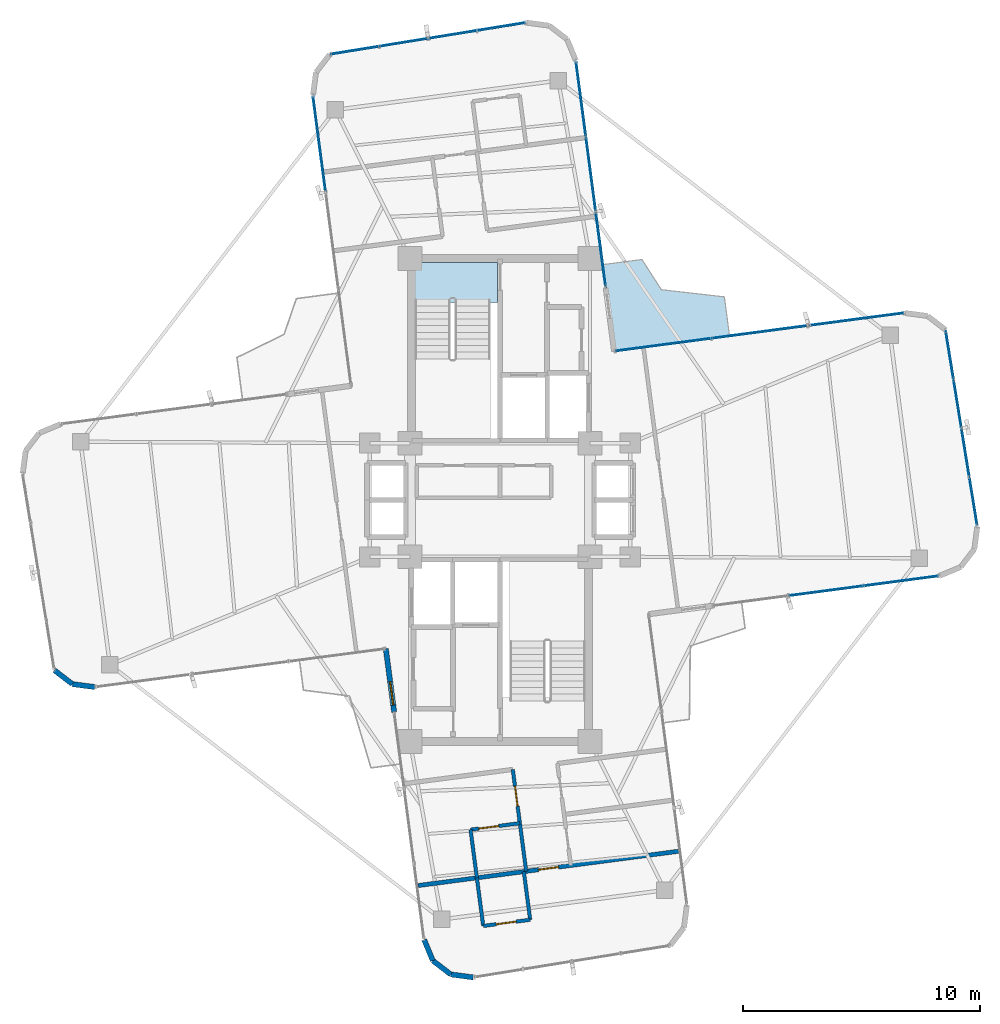
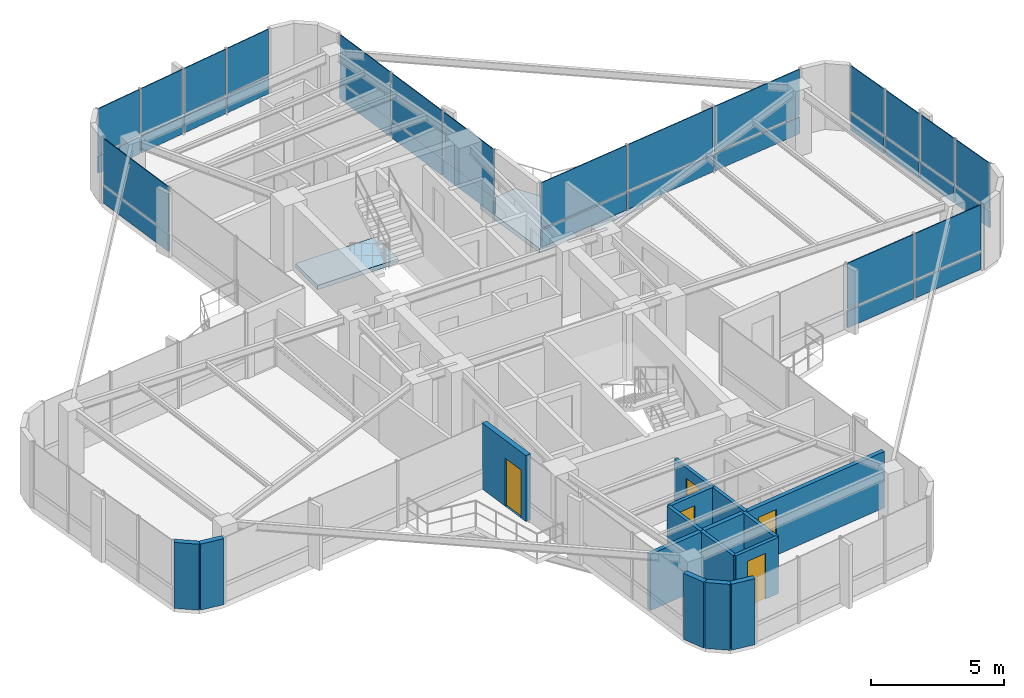
# One storey, part 18 of 22: 34 plates, 13 walls, 5 doors, 2 slabs, 5 openings, 6 elements without a shape of their own.
"""IFC4 building model written with IfcOpenShell, lengths in metres."""

from ifc_helpers import new_model, si_unit, direction, frame, frame_2d, origin, origin_2d, place, context, subcontext, project, spatial, polyline, rectangle, outline, extrude, source, transform, mapped, material, layer, layer_set, type_object, element, fill, aggregate, save


model = new_model("IFC4")

# Units and contexts
model_context = context("Model", 3, precision=1e-05, world=origin(), true_north=direction((0.0, 1.0)))
body_context = subcontext(model_context, "Body", "Model", "MODEL_VIEW")
ifc_project = project(units=[si_unit("LENGTHUNIT", "METRE"), si_unit("AREAUNIT", "SQUARE_METRE"), si_unit("VOLUMEUNIT", "CUBIC_METRE"), si_unit("PLANEANGLEUNIT", "RADIAN"), si_unit("MASSUNIT", "GRAM", prefix="KILO")], contexts=[model_context])

# Site, building, storey
site_placement = place(None, origin())
site = spatial("IfcSite", under=ifc_project, at=site_placement, CompositionType="ELEMENT")
building_placement = place(site_placement, origin())
building = spatial("IfcBuilding", under=site, at=building_placement, Name="Sahyath Konkavel Grand Hotel", CompositionType="ELEMENT")
storey_placement = place(building_placement, frame((0.0, 0.0, 261.25)))
storey = spatial("IfcBuildingStorey", under=building, at=storey_placement, Name="L73", CompositionType="ELEMENT", Elevation=261.25)

# Slabs
ifc_material_1 = material(Name="Concrete C40/50", Category="concrete")
ifc_layer_1 = layer(ifc_material_1, 0.219970703125)
ifc_layer_set_1 = layer_set([ifc_layer_1], Name="Concrete C40/50")
slab_type_1 = type_object("IfcSlabType", Name="SLB-BALCONY-220", PredefinedType="FLOOR", material=ifc_layer_set_1)
slab_1_placement = place(storey_placement, frame((0.0, 0.0, -0.219970703125)))
element("IfcSlab", 1, at=slab_1_placement, inside=storey, type_object=slab_type_1, Name="L73 Winter-Garden Balcony NE", PredefinedType="FLOOR", context=body_context, shape_type="SweptSolid", body=[
    extrude(outline(polyline([(4.821044921875, 6.282958984375), (9.692138671875, 6.92431640625), (9.474609375, 8.576904296875), (6.814208984375, 8.88037109375), (5.992431640625, 10.156005859375), (4.33984375, 9.9384765625), (4.821044921875, 6.282958984375)])), origin(), (0.0, 0.0, 1.0), 0.219970703125),
])
ifc_layer_2 = layer(ifc_material_1, 0.199951171875)
ifc_layer_set_2 = layer_set([ifc_layer_2], Name="Concrete C40/50")
slab_type_2 = type_object("IfcSlabType", Name="SLB-STAIR-LND", PredefinedType="LANDING", material=ifc_layer_set_2)
slab_2_placement = place(storey_placement, frame((0.0, 0.0, -0.199951171875)))
element("IfcSlab", 2, at=slab_2_placement, inside=storey, type_object=slab_type_2, Name="L73 Stair ST-1 Floor Landing Slab", PredefinedType="LANDING", context=body_context, shape_type="SweptSolid", body=[
    extrude(outline(polyline([(-3.6201171875, 8.35009765625), (-0.10009765625, 8.35009765625), (-0.10009765625, 10.02001953125), (-3.6201171875, 10.02001953125), (-3.6201171875, 8.35009765625)])), origin(), (0.0, 0.0, 1.0), 0.199951171875),
])

# Curtain wall, plates
ifc_material_2 = material(Name="Anodised Bronze Aluminium & Low-E Glazing", Category="aluminium")
curtain_wall_type = type_object("IfcCurtainWallType", Name="CW-ZONE4", PredefinedType="NOTDEFINED", material=ifc_material_2)
curtain_wall_1_placement = place(storey_placement, origin())
curtain_wall_1 = element("IfcCurtainWall", 3, at=curtain_wall_1_placement, inside=storey, type_object=curtain_wall_type, Name="L73 Unitised Curtain Wall F0", PredefinedType="NOTDEFINED")
ifc_material_3 = material(Name="Warm Buff Sandstone Cladding", Category="masonry")
ifc_layer_3 = layer(ifc_material_3, 0.074951171875)
ifc_layer_set_3 = layer_set([ifc_layer_3], Name="Warm Buff Sandstone Cladding")
plate_type_1 = type_object("IfcPlateType", Name="PNL-SPANDREL-STONE", PredefinedType="SHEET", material=ifc_layer_set_3)
shared_shape_1 = source(origin(), body_context, "Body", "SweptSolid", [
    extrude(rectangle(XDim=3.123291015625, YDim=0.074951171875, at=origin_2d()), origin(), (0.0, 0.0, 1.0), 0.77001953125),
])
plate_1_placement = place(storey_placement, frame((13.763427734375, -3.836181640625, 0.0400390625), z_axis=(0.0, 0.0, 1.0), x_axis=(0.991444861374, 0.13052619222, 0.0)))
plate_1 = element("IfcPlate", 4, at=plate_1_placement, type_object=plate_type_1, Name="L73 Sandstone Relief Spandrel Panel F0-1", PredefinedType="SHEET", context=body_context, shape_type="MappedRepresentation", body=[
    mapped(shared_shape_1, transform((0.0, 0.0, 0.0), scale=1.0)),
])
plate_2_placement = place(storey_placement, frame((16.939453125, -3.418212890625, 0.0400390625), z_axis=(0.0, 0.0, 1.0), x_axis=(0.991444861374, 0.13052619222, 0.0)))
plate_2 = element("IfcPlate", 5, at=plate_2_placement, type_object=plate_type_1, Name="L73 Sandstone Relief Spandrel Panel F0-2", PredefinedType="SHEET", context=body_context, shape_type="MappedRepresentation", body=[
    mapped(shared_shape_1, transform((0.0, 0.0, 0.0), scale=1.0)),
])

curtain_wall_2_placement = place(storey_placement, origin())
curtain_wall_2 = element("IfcCurtainWall", 6, at=curtain_wall_2_placement, inside=storey, type_object=curtain_wall_type, Name="L73 Unitised Curtain Wall F8", PredefinedType="NOTDEFINED")
plate_3_placement = place(storey_placement, frame((4.25439453125, 10.587646484375, 0.0400390625), z_axis=(0.0, 0.0, 1.0), x_axis=(-0.13052619222, 0.991444861374, 0.0)))
plate_3 = element("IfcPlate", 7, at=plate_3_placement, type_object=plate_type_1, Name="L73 Sandstone Relief Spandrel Panel F8-0", PredefinedType="SHEET", context=body_context, shape_type="MappedRepresentation", body=[
    mapped(shared_shape_1, transform((0.0, 0.0, 0.0), scale=1.0)),
])
plate_4_placement = place(storey_placement, frame((3.836181640625, 13.763427734375, 0.0400390625), z_axis=(0.0, 0.0, 1.0), x_axis=(-0.13052619222, 0.991444861374, 0.0)))
plate_4 = element("IfcPlate", 8, at=plate_4_placement, type_object=plate_type_1, Name="L73 Sandstone Relief Spandrel Panel F8-1", PredefinedType="SHEET", context=body_context, shape_type="MappedRepresentation", body=[
    mapped(shared_shape_1, transform((0.0, 0.0, 0.0), scale=1.0)),
])
plate_5_placement = place(storey_placement, frame((3.418212890625, 16.939453125, 0.0400390625), z_axis=(0.0, 0.0, 1.0), x_axis=(-0.13052619222, 0.991444861374, 0.0)))
plate_5 = element("IfcPlate", 9, at=plate_5_placement, type_object=plate_type_1, Name="L73 Sandstone Relief Spandrel Panel F8-2", PredefinedType="SHEET", context=body_context, shape_type="MappedRepresentation", body=[
    mapped(shared_shape_1, transform((0.0, 0.0, 0.0), scale=1.0)),
])

curtain_wall_3_placement = place(storey_placement, origin())
curtain_wall_3 = element("IfcCurtainWall", 10, at=curtain_wall_3_placement, inside=storey, type_object=curtain_wall_type, Name="L73 Unitised Curtain Wall F4", PredefinedType="NOTDEFINED")
shared_shape_2 = source(origin(), body_context, "Body", "SweptSolid", [
    extrude(rectangle(XDim=2.007080078125, YDim=0.074951171875, at=origin_2d()), origin(), (0.0, 0.0, 1.0), 0.77001953125),
])
plate_6_placement = place(storey_placement, frame((19.98681640625, -0.05859375, 0.0400390625), z_axis=(0.0, 0.0, 1.0), x_axis=(-0.159622750546, 0.987178088041, 0.0)))
plate_6 = element("IfcPlate", 11, at=plate_6_placement, type_object=plate_type_1, Name="L73 Sandstone Relief Spandrel Panel F4-0", PredefinedType="SHEET", context=body_context, shape_type="MappedRepresentation", body=[
    mapped(shared_shape_2, transform((0.0, 0.0, 0.0), scale=1.0)),
])
plate_7_placement = place(storey_placement, frame((19.653564453125, 2.001708984375, 0.0400390625), z_axis=(0.0, 0.0, 1.0), x_axis=(-0.159622750546, 0.987178088041, 0.0)))
plate_7 = element("IfcPlate", 12, at=plate_7_placement, type_object=plate_type_1, Name="L73 Sandstone Relief Spandrel Panel F4-1", PredefinedType="SHEET", context=body_context, shape_type="MappedRepresentation", body=[
    mapped(shared_shape_2, transform((0.0, 0.0, 0.0), scale=1.0)),
])
plate_8_placement = place(storey_placement, frame((19.3203125, 4.062255859375, 0.0400390625), z_axis=(0.0, 0.0, 1.0), x_axis=(-0.159622750546, 0.987178088041, 0.0)))
plate_8 = element("IfcPlate", 13, at=plate_8_placement, type_object=plate_type_1, Name="L73 Sandstone Relief Spandrel Panel F4-2", PredefinedType="SHEET", context=body_context, shape_type="MappedRepresentation", body=[
    mapped(shared_shape_2, transform((0.0, 0.0, 0.0), scale=1.0)),
])
plate_9_placement = place(storey_placement, frame((18.9873046875, 6.12255859375, 0.0400390625), z_axis=(0.0, 0.0, 1.0), x_axis=(-0.159622750546, 0.987178088041, 0.0)))
plate_9 = element("IfcPlate", 14, at=plate_9_placement, type_object=plate_type_1, Name="L73 Sandstone Relief Spandrel Panel F4-3", PredefinedType="SHEET", context=body_context, shape_type="MappedRepresentation", body=[
    mapped(shared_shape_2, transform((0.0, 0.0, 0.0), scale=1.0)),
])

curtain_wall_4_placement = place(storey_placement, origin())
curtain_wall_4 = element("IfcCurtainWall", 15, at=curtain_wall_4_placement, inside=storey, type_object=curtain_wall_type, Name="L73 Unitised Curtain Wall F12", PredefinedType="NOTDEFINED")
plate_10_placement = place(storey_placement, frame((0.05859375, 19.98681640625, 0.0400390625), z_axis=(0.0, 0.0, 1.0), x_axis=(-0.987178088041, -0.159622750546, 0.0)))
plate_10 = element("IfcPlate", 16, at=plate_10_placement, type_object=plate_type_1, Name="L73 Sandstone Relief Spandrel Panel F12-0", PredefinedType="SHEET", context=body_context, shape_type="MappedRepresentation", body=[
    mapped(shared_shape_2, transform((0.0, 0.0, 0.0), scale=1.0)),
])
plate_11_placement = place(storey_placement, frame((-2.001708984375, 19.653564453125, 0.0400390625), z_axis=(0.0, 0.0, 1.0), x_axis=(-0.987178088041, -0.159622750546, 0.0)))
plate_11 = element("IfcPlate", 17, at=plate_11_placement, type_object=plate_type_1, Name="L73 Sandstone Relief Spandrel Panel F12-1", PredefinedType="SHEET", context=body_context, shape_type="MappedRepresentation", body=[
    mapped(shared_shape_2, transform((0.0, 0.0, 0.0), scale=1.0)),
])
plate_12_placement = place(storey_placement, frame((-4.062255859375, 19.3203125, 0.0400390625), z_axis=(0.0, 0.0, 1.0), x_axis=(-0.987178088041, -0.159622750546, 0.0)))
plate_12 = element("IfcPlate", 18, at=plate_12_placement, type_object=plate_type_1, Name="L73 Sandstone Relief Spandrel Panel F12-2", PredefinedType="SHEET", context=body_context, shape_type="MappedRepresentation", body=[
    mapped(shared_shape_2, transform((0.0, 0.0, 0.0), scale=1.0)),
])
plate_13_placement = place(storey_placement, frame((-6.12255859375, 18.9873046875, 0.0400390625), z_axis=(0.0, 0.0, 1.0), x_axis=(-0.987178088041, -0.159622750546, 0.0)))
plate_13 = element("IfcPlate", 19, at=plate_13_placement, type_object=plate_type_1, Name="L73 Sandstone Relief Spandrel Panel F12-3", PredefinedType="SHEET", context=body_context, shape_type="MappedRepresentation", body=[
    mapped(shared_shape_2, transform((0.0, 0.0, 0.0), scale=1.0)),
])

curtain_wall_5_placement = place(storey_placement, origin())
curtain_wall_5 = element("IfcCurtainWall", 20, at=curtain_wall_5_placement, inside=storey, type_object=curtain_wall_type, Name="L73 Unitised Curtain Wall F7", PredefinedType="NOTDEFINED")
shared_shape_3 = source(origin(), body_context, "Body", "SweptSolid", [
    extrude(rectangle(XDim=4.023193359375, YDim=0.074951171875, at=origin_2d()), origin(), (0.0, 0.0, 1.0), 0.77001953125),
])
plate_14_placement = place(storey_placement, frame((15.03125, 7.627197265625, 0.0400390625), z_axis=(0.0, 0.0, 1.0), x_axis=(-0.991444861374, -0.13052619222, 0.0)))
plate_14 = element("IfcPlate", 21, at=plate_14_placement, type_object=plate_type_1, Name="L73 Sandstone Relief Spandrel Panel F7-0", PredefinedType="SHEET", context=body_context, shape_type="MappedRepresentation", body=[
    mapped(shared_shape_3, transform((0.0, 0.0, 0.0), scale=1.0)),
])
plate_15_placement = place(storey_placement, frame((10.963134765625, 7.091552734375, 0.0400390625), z_axis=(0.0, 0.0, 1.0), x_axis=(-0.991444861374, -0.13052619222, 0.0)))
plate_15 = element("IfcPlate", 22, at=plate_15_placement, type_object=plate_type_1, Name="L73 Sandstone Relief Spandrel Panel F7-1", PredefinedType="SHEET", context=body_context, shape_type="MappedRepresentation", body=[
    mapped(shared_shape_3, transform((0.0, 0.0, 0.0), scale=1.0)),
])
plate_16_placement = place(storey_placement, frame((6.89501953125, 6.555908203125, 0.0400390625), z_axis=(0.0, 0.0, 1.0), x_axis=(-0.991444861374, -0.13052619222, 0.0)))
plate_16 = element("IfcPlate", 23, at=plate_16_placement, type_object=plate_type_1, Name="L73 Sandstone Relief Spandrel Panel F7-2", PredefinedType="SHEET", context=body_context, shape_type="MappedRepresentation", body=[
    mapped(shared_shape_3, transform((0.0, 0.0, 0.0), scale=1.0)),
])

# Curtain wall, plate
curtain_wall_6_placement = place(storey_placement, origin())
curtain_wall_6 = element("IfcCurtainWall", 24, at=curtain_wall_6_placement, inside=storey, type_object=curtain_wall_type, Name="L73 Unitised Curtain Wall F15", PredefinedType="NOTDEFINED")
plate_17_placement = place(storey_placement, frame((-7.627197265625, 15.03125, 0.0400390625), z_axis=(0.0, 0.0, 1.0), x_axis=(0.13052619222, -0.991444861374, 0.0)))
plate_17 = element("IfcPlate", 25, at=plate_17_placement, type_object=plate_type_1, Name="L73 Sandstone Relief Spandrel Panel F15-0", PredefinedType="SHEET", context=body_context, shape_type="MappedRepresentation", body=[
    mapped(shared_shape_3, transform((0.0, 0.0, 0.0), scale=1.0)),
])

# Plate
ifc_material_4 = material(Name="Low-E Solar Control Double Glazing", Category="glass")
ifc_layer_4 = layer(ifc_material_4, 0.035888671875)
ifc_layer_set_4 = layer_set([ifc_layer_4], Name="Low-E Solar Control Double Glazing")
plate_type_2 = type_object("IfcPlateType", Name="PNL-VISION-LOWE", PredefinedType="CURTAIN_PANEL", material=ifc_layer_set_4)
shared_shape_4 = source(origin(), body_context, "Body", "SweptSolid", [
    extrude(rectangle(XDim=3.123291015625, YDim=0.035888671875, at=origin_2d()), origin(), (0.0, 0.0, 1.0), 2.10009765625),
])
plate_18_placement = place(storey_placement, frame((13.763427734375, -3.836181640625, 0.889892578125), z_axis=(0.0, 0.0, 1.0), x_axis=(0.991444861374, 0.13052619222, 0.0)))
plate_18 = element("IfcPlate", 26, at=plate_18_placement, type_object=plate_type_2, Name="L73 Low-E Vision Glazing Panel F0-1", PredefinedType="CURTAIN_PANEL", context=body_context, shape_type="MappedRepresentation", body=[
    mapped(shared_shape_4, transform((0.0, 0.0, 0.0), scale=1.0)),
])

plate_19_placement = place(storey_placement, frame((16.939453125, -3.418212890625, 0.889892578125), z_axis=(0.0, 0.0, 1.0), x_axis=(0.991444861374, 0.13052619222, 0.0)))
plate_19 = element("IfcPlate", 27, at=plate_19_placement, type_object=plate_type_2, Name="L73 Low-E Vision Glazing Panel F0-2", PredefinedType="CURTAIN_PANEL", context=body_context, shape_type="MappedRepresentation", body=[
    mapped(shared_shape_4, transform((0.0, 0.0, 0.0), scale=1.0)),
])

aggregate(curtain_wall_1, [plate_1, plate_18, plate_2, plate_19])

plate_20_placement = place(storey_placement, frame((4.25439453125, 10.587646484375, 0.889892578125), z_axis=(0.0, 0.0, 1.0), x_axis=(-0.13052619222, 0.991444861374, 0.0)))
plate_20 = element("IfcPlate", 28, at=plate_20_placement, type_object=plate_type_2, Name="L73 Low-E Vision Glazing Panel F8-0", PredefinedType="CURTAIN_PANEL", context=body_context, shape_type="MappedRepresentation", body=[
    mapped(shared_shape_4, transform((0.0, 0.0, 0.0), scale=1.0)),
])

plate_21_placement = place(storey_placement, frame((3.836181640625, 13.763427734375, 0.889892578125), z_axis=(0.0, 0.0, 1.0), x_axis=(-0.13052619222, 0.991444861374, 0.0)))
plate_21 = element("IfcPlate", 29, at=plate_21_placement, type_object=plate_type_2, Name="L73 Low-E Vision Glazing Panel F8-1", PredefinedType="CURTAIN_PANEL", context=body_context, shape_type="MappedRepresentation", body=[
    mapped(shared_shape_4, transform((0.0, 0.0, 0.0), scale=1.0)),
])

plate_22_placement = place(storey_placement, frame((3.418212890625, 16.939453125, 0.889892578125), z_axis=(0.0, 0.0, 1.0), x_axis=(-0.13052619222, 0.991444861374, 0.0)))
plate_22 = element("IfcPlate", 30, at=plate_22_placement, type_object=plate_type_2, Name="L73 Low-E Vision Glazing Panel F8-2", PredefinedType="CURTAIN_PANEL", context=body_context, shape_type="MappedRepresentation", body=[
    mapped(shared_shape_4, transform((0.0, 0.0, 0.0), scale=1.0)),
])

aggregate(curtain_wall_2, [plate_3, plate_20, plate_4, plate_21, plate_5, plate_22])

shared_shape_5 = source(origin(), body_context, "Body", "SweptSolid", [
    extrude(rectangle(XDim=2.007080078125, YDim=0.035888671875, at=origin_2d()), origin(), (0.0, 0.0, 1.0), 2.10009765625),
])
plate_23_placement = place(storey_placement, frame((19.98681640625, -0.05859375, 0.889892578125), z_axis=(0.0, 0.0, 1.0), x_axis=(-0.159622750546, 0.987178088041, 0.0)))
plate_23 = element("IfcPlate", 31, at=plate_23_placement, type_object=plate_type_2, Name="L73 Low-E Vision Glazing Panel F4-0", PredefinedType="CURTAIN_PANEL", context=body_context, shape_type="MappedRepresentation", body=[
    mapped(shared_shape_5, transform((0.0, 0.0, 0.0), scale=1.0)),
])

plate_24_placement = place(storey_placement, frame((19.653564453125, 2.001708984375, 0.889892578125), z_axis=(0.0, 0.0, 1.0), x_axis=(-0.159622750546, 0.987178088041, 0.0)))
plate_24 = element("IfcPlate", 32, at=plate_24_placement, type_object=plate_type_2, Name="L73 Low-E Vision Glazing Panel F4-1", PredefinedType="CURTAIN_PANEL", context=body_context, shape_type="MappedRepresentation", body=[
    mapped(shared_shape_5, transform((0.0, 0.0, 0.0), scale=1.0)),
])

plate_25_placement = place(storey_placement, frame((19.3203125, 4.062255859375, 0.889892578125), z_axis=(0.0, 0.0, 1.0), x_axis=(-0.159622750546, 0.987178088041, 0.0)))
plate_25 = element("IfcPlate", 33, at=plate_25_placement, type_object=plate_type_2, Name="L73 Low-E Vision Glazing Panel F4-2", PredefinedType="CURTAIN_PANEL", context=body_context, shape_type="MappedRepresentation", body=[
    mapped(shared_shape_5, transform((0.0, 0.0, 0.0), scale=1.0)),
])

plate_26_placement = place(storey_placement, frame((18.9873046875, 6.12255859375, 0.889892578125), z_axis=(0.0, 0.0, 1.0), x_axis=(-0.159622750546, 0.987178088041, 0.0)))
plate_26 = element("IfcPlate", 34, at=plate_26_placement, type_object=plate_type_2, Name="L73 Low-E Vision Glazing Panel F4-3", PredefinedType="CURTAIN_PANEL", context=body_context, shape_type="MappedRepresentation", body=[
    mapped(shared_shape_5, transform((0.0, 0.0, 0.0), scale=1.0)),
])

aggregate(curtain_wall_3, [plate_6, plate_23, plate_7, plate_24, plate_8, plate_25, plate_9, plate_26])

plate_27_placement = place(storey_placement, frame((0.05859375, 19.98681640625, 0.889892578125), z_axis=(0.0, 0.0, 1.0), x_axis=(-0.987178088041, -0.159622750546, 0.0)))
plate_27 = element("IfcPlate", 35, at=plate_27_placement, type_object=plate_type_2, Name="L73 Low-E Vision Glazing Panel F12-0", PredefinedType="CURTAIN_PANEL", context=body_context, shape_type="MappedRepresentation", body=[
    mapped(shared_shape_5, transform((0.0, 0.0, 0.0), scale=1.0)),
])

plate_28_placement = place(storey_placement, frame((-2.001708984375, 19.653564453125, 0.889892578125), z_axis=(0.0, 0.0, 1.0), x_axis=(-0.987178088041, -0.159622750546, 0.0)))
plate_28 = element("IfcPlate", 36, at=plate_28_placement, type_object=plate_type_2, Name="L73 Low-E Vision Glazing Panel F12-1", PredefinedType="CURTAIN_PANEL", context=body_context, shape_type="MappedRepresentation", body=[
    mapped(shared_shape_5, transform((0.0, 0.0, 0.0), scale=1.0)),
])

plate_29_placement = place(storey_placement, frame((-4.062255859375, 19.3203125, 0.889892578125), z_axis=(0.0, 0.0, 1.0), x_axis=(-0.987178088041, -0.159622750546, 0.0)))
plate_29 = element("IfcPlate", 37, at=plate_29_placement, type_object=plate_type_2, Name="L73 Low-E Vision Glazing Panel F12-2", PredefinedType="CURTAIN_PANEL", context=body_context, shape_type="MappedRepresentation", body=[
    mapped(shared_shape_5, transform((0.0, 0.0, 0.0), scale=1.0)),
])

plate_30_placement = place(storey_placement, frame((-6.12255859375, 18.9873046875, 0.889892578125), z_axis=(0.0, 0.0, 1.0), x_axis=(-0.987178088041, -0.159622750546, 0.0)))
plate_30 = element("IfcPlate", 38, at=plate_30_placement, type_object=plate_type_2, Name="L73 Low-E Vision Glazing Panel F12-3", PredefinedType="CURTAIN_PANEL", context=body_context, shape_type="MappedRepresentation", body=[
    mapped(shared_shape_5, transform((0.0, 0.0, 0.0), scale=1.0)),
])

aggregate(curtain_wall_4, [plate_10, plate_27, plate_11, plate_28, plate_12, plate_29, plate_13, plate_30])

shared_shape_6 = source(origin(), body_context, "Body", "SweptSolid", [
    extrude(rectangle(XDim=4.023193359375, YDim=0.035888671875, at=origin_2d()), origin(), (0.0, 0.0, 1.0), 2.10009765625),
])
plate_31_placement = place(storey_placement, frame((15.03125, 7.627197265625, 0.889892578125), z_axis=(0.0, 0.0, 1.0), x_axis=(-0.991444861374, -0.13052619222, 0.0)))
plate_31 = element("IfcPlate", 39, at=plate_31_placement, type_object=plate_type_2, Name="L73 Low-E Vision Glazing Panel F7-0", PredefinedType="CURTAIN_PANEL", context=body_context, shape_type="MappedRepresentation", body=[
    mapped(shared_shape_6, transform((0.0, 0.0, 0.0), scale=1.0)),
])

plate_32_placement = place(storey_placement, frame((10.963134765625, 7.091552734375, 0.889892578125), z_axis=(0.0, 0.0, 1.0), x_axis=(-0.991444861374, -0.13052619222, 0.0)))
plate_32 = element("IfcPlate", 40, at=plate_32_placement, type_object=plate_type_2, Name="L73 Low-E Vision Glazing Panel F7-1", PredefinedType="CURTAIN_PANEL", context=body_context, shape_type="MappedRepresentation", body=[
    mapped(shared_shape_6, transform((0.0, 0.0, 0.0), scale=1.0)),
])

plate_33_placement = place(storey_placement, frame((6.89501953125, 6.555908203125, 0.889892578125), z_axis=(0.0, 0.0, 1.0), x_axis=(-0.991444861374, -0.13052619222, 0.0)))
plate_33 = element("IfcPlate", 41, at=plate_33_placement, type_object=plate_type_2, Name="L73 Low-E Vision Glazing Panel F7-2", PredefinedType="CURTAIN_PANEL", context=body_context, shape_type="MappedRepresentation", body=[
    mapped(shared_shape_6, transform((0.0, 0.0, 0.0), scale=1.0)),
])

aggregate(curtain_wall_5, [plate_14, plate_31, plate_15, plate_32, plate_16, plate_33])

plate_34_placement = place(storey_placement, frame((-7.627197265625, 15.03125, 0.889892578125), z_axis=(0.0, 0.0, 1.0), x_axis=(0.13052619222, -0.991444861374, 0.0)))
plate_34 = element("IfcPlate", 42, at=plate_34_placement, type_object=plate_type_2, Name="L73 Low-E Vision Glazing Panel F15-0", PredefinedType="CURTAIN_PANEL", context=body_context, shape_type="MappedRepresentation", body=[
    mapped(shared_shape_6, transform((0.0, 0.0, 0.0), scale=1.0)),
])

aggregate(curtain_wall_6, [plate_17, plate_34])

# Walls
ifc_material_5 = material(Name="Warm Buff Sandstone Insulated Concrete C40/50", Category="masonry")
ifc_layer_5 = layer(ifc_material_5, 0.219970703125)
ifc_layer_set_5 = layer_set([ifc_layer_5], Name="Warm Buff Sandstone Insulated Concrete C40/50")
wall_type_1 = type_object("IfcWallType", Name="WLL-BALC-THRESH", PredefinedType="STANDARD", material=ifc_layer_set_5)
wall_1_placement = place(storey_placement, frame((-18.814208984375, -7.1923828125, 0.0), z_axis=(0.0, 0.0, 1.0), x_axis=(0.793249178392, -0.608897151398, 0.0)))
element("IfcWall", 43, at=wall_1_placement, inside=storey, type_object=wall_type_1, Name="L73 Rounded Corner Sandstone Pier 21", PredefinedType="STANDARD", context=body_context, shape_type="SweptSolid", body=[
    extrude(rectangle(XDim=0.95751953125, YDim=0.219970703125, at=frame_2d((0.478759765625, 0.0))), origin(), (0.0, 0.0, 1.0), 3.030029296875),
])
wall_2_placement = place(storey_placement, frame((-18.0546875, -7.775390625, 0.0), z_axis=(0.0, 0.0, 1.0), x_axis=(0.991449089759, -0.130494070426, 0.0)))
element("IfcWall", 44, at=wall_2_placement, inside=storey, type_object=wall_type_1, Name="L73 Rounded Corner Sandstone Pier 22", PredefinedType="STANDARD", context=body_context, shape_type="SweptSolid", body=[
    extrude(rectangle(XDim=0.9580078125, YDim=0.219970703125, at=frame_2d((0.47900390625, 0.0))), origin(), (0.0, 0.0, 1.0), 3.030029296875),
])

# Wall, opening, door
wall_3_placement = place(storey_placement, frame((-4.821044921875, -6.282958984375, 0.0), z_axis=(0.0, 0.0, 1.0), x_axis=(0.130475563272, -0.991451525486, 0.0)))
wall_3 = element("IfcWall", 45, at=wall_3_placement, inside=storey, type_object=wall_type_1, Name="L73 Winter-Garden Threshold Wall 24", PredefinedType="STANDARD", context=body_context, shape_type="SweptSolid", body=[
    extrude(rectangle(XDim=2.7001953125, YDim=0.219970703125, at=frame_2d((1.35009765625, 0.0))), origin(), (0.0, 0.0, 1.0), 3.030029296875),
])
opening_1_placement = place(wall_3_placement, frame((1.39990234375, 0.0, 0.0)))
opening_1 = element("IfcOpeningElement", 46, at=opening_1_placement, cuts=wall_3, Name="Opening D-TR1", PredefinedType="OPENING", context=body_context, shape_type="SweptSolid", body=[
    extrude(rectangle(XDim=1.0, YDim=2.199951171875, at=frame_2d((0.5, 1.10009765625))), frame((0.0, 0.1201171875, 0.0), z_axis=(0.0, -1.0, 0.0), x_axis=(1.0, 0.0, 0.0)), (0.0, 0.0, 1.0), 0.239990234375),
])
door_type_1 = type_object("IfcDoorType", Name="DR-TERRACE-1000", OperationType="NOTDEFINED", PredefinedType="DOOR", material=ifc_material_2)
shared_shape_7 = source(origin(), body_context, "Body", "SweptSolid", [
    extrude(rectangle(XDim=1.0, YDim=0.050048828125, at=origin_2d()), origin(), (0.0, 0.0, 1.0), 2.199951171875),
])
door_1_placement = place(opening_1_placement, frame((0.5, 0.0, 0.0)))
door_1 = element("IfcDoor", 47, at=door_1_placement, inside=storey, type_object=door_type_1, Name="L73 Winter-Garden Terrace Door 24", OperationType="SINGLE_SWING_LEFT", OverallHeight=2.199951171875, OverallWidth=1.0, PredefinedType="DOOR", context=body_context, shape_type="MappedRepresentation", body=[
    mapped(shared_shape_7, transform((0.0, 0.0, 0.0), scale=1.0)),
])
fill(opening_1, door_1)

# Walls
wall_4_placement = place(storey_placement, frame((-3.203857421875, -18.56689453125, 0.0), z_axis=(0.0, 0.0, 1.0), x_axis=(0.382569397359, -0.923926759112, 0.0)))
element("IfcWall", 48, at=wall_4_placement, inside=storey, type_object=wall_type_1, Name="L73 Rounded Corner Sandstone Pier 25", PredefinedType="STANDARD", context=body_context, shape_type="SweptSolid", body=[
    extrude(rectangle(XDim=0.957763671875, YDim=0.219970703125, at=frame_2d((0.47900390625, 0.0))), origin(), (0.0, 0.0, 1.0), 3.030029296875),
])
for number, where, z_axis, x_axis, name in (
    (49, (-2.83740234375, -19.451904296875, 0.0), (0.0, 0.0, 1.0), (0.793466811674, -0.60861352168, 0.0), "L73 Rounded Corner Sandstone Pier 26"),
    (50, (-2.07763671875, -20.03466796875, 0.0), (0.0, 0.0, 1.0), (0.991440402921, -0.13056005306, 0.0), "L73 Rounded Corner Sandstone Pier 27"),
):
    element("IfcWall", number, at=place(storey_placement, frame(where, z_axis=z_axis, x_axis=x_axis)), inside=storey, type_object=wall_type_1, Name=name, PredefinedType="STANDARD", context=body_context, shape_type="SweptSolid", body=[
        extrude(rectangle(XDim=0.95751953125, YDim=0.219970703125, at=frame_2d((0.478759765625, 0.0))), origin(), (0.0, 0.0, 1.0), 3.030029296875),
    ])

# Wall, opening, door
ifc_material_6 = material(Name="Twin-Stud Acoustic Gypsum Plasterboard Partition")
ifc_layer_6 = layer(ifc_material_6, 0.179931640625)
ifc_layer_set_6 = layer_set([ifc_layer_6], Name="Twin-Stud Acoustic Gypsum Plasterboard Partition")
wall_type_2 = type_object("IfcWallType", Name="WLL-DEMISE-180", PredefinedType="PARTITIONING", material=ifc_layer_set_6)
wall_5_placement = place(storey_placement, frame((-3.45458984375, -16.2802734375, 0.0), z_axis=(0.0, 0.0, 1.0), x_axis=(0.991443437127, 0.130537009991, 0.0)))
wall_5 = element("IfcWall", 51, at=wall_5_placement, inside=storey, type_object=wall_type_2, Name="L73 Partition S-STIP-END", PredefinedType="PARTITIONING", context=body_context, shape_type="SweptSolid", body=[
    extrude(rectangle(XDim=11.10009765625, YDim=0.179931640625, at=frame_2d((5.550048828125, 0.0))), origin(), (0.0, 0.0, 1.0), 2.580078125),
])
opening_2_placement = place(wall_5_placement, frame((5.125, 0.0, 0.0)))
opening_2 = element("IfcOpeningElement", 52, at=opening_2_placement, cuts=wall_5, Name="Opening D-F06D", PredefinedType="OPENING", context=body_context, shape_type="SweptSolid", body=[
    extrude(rectangle(XDim=0.85009765625, YDim=2.10009765625, at=frame_2d((0.425048828125, 1.050048828125))), frame((0.0, 0.10009765625, 0.0), z_axis=(0.0, -1.0, 0.0), x_axis=(1.0, 0.0, 0.0)), (0.0, 0.0, 1.0), 0.199951171875),
])
ifc_material_7 = material(Name="Fire-Rated Shaft Access Door")
door_type_2 = type_object("IfcDoorType", Name="DR-FD60-850", OperationType="NOTDEFINED", PredefinedType="DOOR", material=ifc_material_7)
shared_shape_8 = source(origin(), body_context, "Body", "SweptSolid", [
    extrude(rectangle(XDim=0.85009765625, YDim=0.050048828125, at=origin_2d()), origin(), (0.0, 0.0, 1.0), 2.10009765625),
])
door_2_placement = place(opening_2_placement, frame((0.425048828125, 0.0, 0.0)))
door_2 = element("IfcDoor", 53, at=door_2_placement, inside=storey, type_object=door_type_2, Name="L73 Door S-STIP-ED", OperationType="SINGLE_SWING_RIGHT", OverallHeight=2.10009765625, OverallWidth=0.85009765625, PredefinedType="DOOR", context=body_context, shape_type="MappedRepresentation", body=[
    mapped(shared_shape_8, transform((0.0, 0.0, 0.0), scale=1.0)),
])
fill(opening_2, door_2)

ifc_material_8 = material(Name="Fire-Rated Gypsum Plasterboard Partition")
ifc_layer_7 = layer(ifc_material_8, 0.14990234375)
ifc_layer_set_7 = layer_set([ifc_layer_7], Name="Fire-Rated Gypsum Plasterboard Partition")
wall_type_3 = type_object("IfcWallType", Name="WLL-PART-150", PredefinedType="PARTITIONING", material=ifc_layer_set_7)
wall_6_placement = place(storey_placement, frame((0.53955078125, -11.376953125, 0.0), z_axis=(0.0, 0.0, 1.0), x_axis=(0.130568017521, -0.991439354071, 0.0)))
wall_6 = element("IfcWall", 54, at=wall_6_placement, inside=storey, type_object=wall_type_3, Name="L73 Partition S-CR", PredefinedType="PARTITIONING", context=body_context, shape_type="SweptSolid", body=[
    extrude(rectangle(XDim=4.33984375, YDim=0.14990234375, at=frame_2d((2.169921875, 0.0))), origin(), (0.0, 0.0, 1.0), 2.580078125),
])
opening_3_placement = place(wall_6_placement, frame((0.719970703125, 0.0, 0.0)))
opening_3 = element("IfcOpeningElement", 55, at=opening_3_placement, cuts=wall_6, Name="Opening D-F06D", PredefinedType="OPENING", context=body_context, shape_type="SweptSolid", body=[
    extrude(rectangle(XDim=0.85009765625, YDim=2.10009765625, at=frame_2d((0.425048828125, 1.050048828125))), frame((0.0, 0.0849609375, 0.0), z_axis=(0.0, -1.0, 0.0), x_axis=(1.0, 0.0, 0.0)), (0.0, 0.0, 1.0), 0.169921875),
])
door_3_placement = place(opening_3_placement, frame((0.425048828125, 0.0, 0.0)))
door_3 = element("IfcDoor", 56, at=door_3_placement, inside=storey, type_object=door_type_2, Name="L73 Door S-S4R1-ED", OperationType="SINGLE_SWING_RIGHT", OverallHeight=2.10009765625, OverallWidth=0.85009765625, PredefinedType="DOOR", context=body_context, shape_type="MappedRepresentation", body=[
    mapped(shared_shape_8, transform((0.0, 0.0, 0.0), scale=1.0)),
])
fill(opening_3, door_3)

wall_7_placement = place(storey_placement, frame((0.83837890625, -13.647216796875, 0.0), z_axis=(0.0, 0.0, 1.0), x_axis=(-0.991438854462, -0.130571811136, 0.0)))
wall_7 = element("IfcWall", 57, at=wall_7_placement, inside=storey, type_object=wall_type_3, Name="L73 Partition S-S4R1-BS", PredefinedType="PARTITIONING", context=body_context, shape_type="SweptSolid", body=[
    extrude(rectangle(XDim=2.099853515625, YDim=0.14990234375, at=frame_2d((1.0498046875, 0.0))), origin(), (0.0, 0.0, 1.0), 2.580078125),
])
opening_4_placement = place(wall_7_placement, frame((0.89990234375, 0.0, 0.0)))
opening_4 = element("IfcOpeningElement", 58, at=opening_4_placement, cuts=wall_7, Name="Opening D-BT85", PredefinedType="OPENING", context=body_context, shape_type="SweptSolid", body=[
    extrude(rectangle(XDim=0.85009765625, YDim=2.10009765625, at=frame_2d((0.425048828125, 1.050048828125))), frame((0.0, 0.0849609375, 0.0), z_axis=(0.0, -1.0, 0.0), x_axis=(1.0, 0.0, 0.0)), (0.0, 0.0, 1.0), 0.169921875),
])
ifc_material_9 = material(Name="Moisture-Resistant Teak Bathroom Door")
door_type_3 = type_object("IfcDoorType", Name="DR-BATH-850", OperationType="NOTDEFINED", PredefinedType="DOOR", material=ifc_material_9)
door_4_placement = place(opening_4_placement, frame((0.425048828125, 0.0, 0.0)))
door_4 = element("IfcDoor", 59, at=door_4_placement, inside=storey, type_object=door_type_3, Name="L73 Door S-S4R1-BD", OperationType="SINGLE_SWING_LEFT", OverallHeight=2.10009765625, OverallWidth=0.85009765625, PredefinedType="DOOR", context=body_context, shape_type="MappedRepresentation", body=[
    mapped(shared_shape_8, transform((0.0, 0.0, 0.0), scale=1.0)),
])
fill(opening_4, door_4)

# Walls
for number, where, z_axis, x_axis, name in (
    (60, (-1.243408203125, -13.92138671875, 0.0), (0.0, 0.0, 1.0), (0.130408301556, -0.991460374844, 0.0), "L73 Partition S-S4R1-BF"),
    (61, (1.0068359375, -15.69287109375, 0.0), (0.0, 0.0, 1.0), (0.13052536781, -0.991444969909, 0.0), "L73 Partition S-STIP-BN"),
    (62, (-0.97607421875, -15.953857421875, 0.0), (0.0, 0.0, 1.0), (0.13052536781, -0.991444969909, 0.0), "L73 Partition S-STIP-BS"),
):
    element("IfcWall", number, at=place(storey_placement, frame(where, z_axis=z_axis, x_axis=x_axis)), inside=storey, type_object=wall_type_3, Name=name, PredefinedType="PARTITIONING", context=body_context, shape_type="SweptSolid", body=[
        extrude(rectangle(XDim=2.050048828125, YDim=0.14990234375, at=frame_2d((1.02490234375, 0.0))), origin(), (0.0, 0.0, 1.0), 2.580078125),
    ])

# Wall, opening, door
wall_8_placement = place(storey_placement, frame((-0.70849609375, -17.986328125, 0.0), z_axis=(0.0, 0.0, 1.0), x_axis=(0.991449308994, 0.130492404742, 0.0)))
wall_8 = element("IfcWall", 63, at=wall_8_placement, inside=storey, type_object=wall_type_3, Name="L73 Partition S-STIP-BE", PredefinedType="PARTITIONING", context=body_context, shape_type="SweptSolid", body=[
    extrude(rectangle(XDim=2.0, YDim=0.14990234375, at=frame_2d((1.0, 0.0))), origin(), (0.0, 0.0, 1.0), 2.580078125),
])
opening_5_placement = place(wall_8_placement, frame((0.550048828125, 0.0, 0.0)))
opening_5 = element("IfcOpeningElement", 64, at=opening_5_placement, cuts=wall_8, Name="Opening D-BT85", PredefinedType="OPENING", context=body_context, shape_type="SweptSolid", body=[
    extrude(rectangle(XDim=0.85009765625, YDim=2.10009765625, at=frame_2d((0.425048828125, 1.050048828125))), frame((0.0, 0.0849609375, 0.0), z_axis=(0.0, -1.0, 0.0), x_axis=(1.0, 0.0, 0.0)), (0.0, 0.0, 1.0), 0.169921875),
])
door_5_placement = place(opening_5_placement, frame((0.425048828125, 0.0, 0.0)))
door_5 = element("IfcDoor", 65, at=door_5_placement, inside=storey, type_object=door_type_3, Name="L73 Door S-STIP-BD", OperationType="SINGLE_SWING_LEFT", OverallHeight=2.10009765625, OverallWidth=0.85009765625, PredefinedType="DOOR", context=body_context, shape_type="MappedRepresentation", body=[
    mapped(shared_shape_8, transform((0.0, 0.0, 0.0), scale=1.0)),
])
fill(opening_5, door_5)

save(model, "model.ifc")
